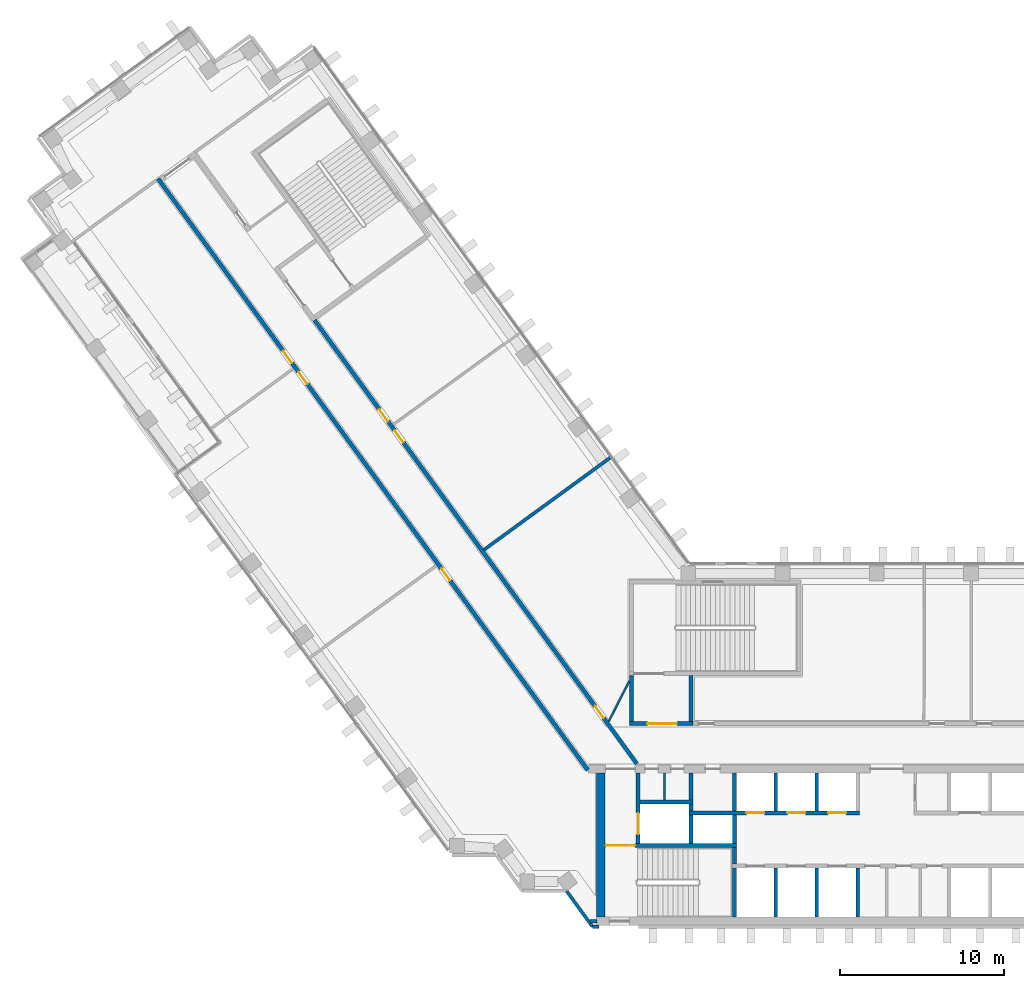
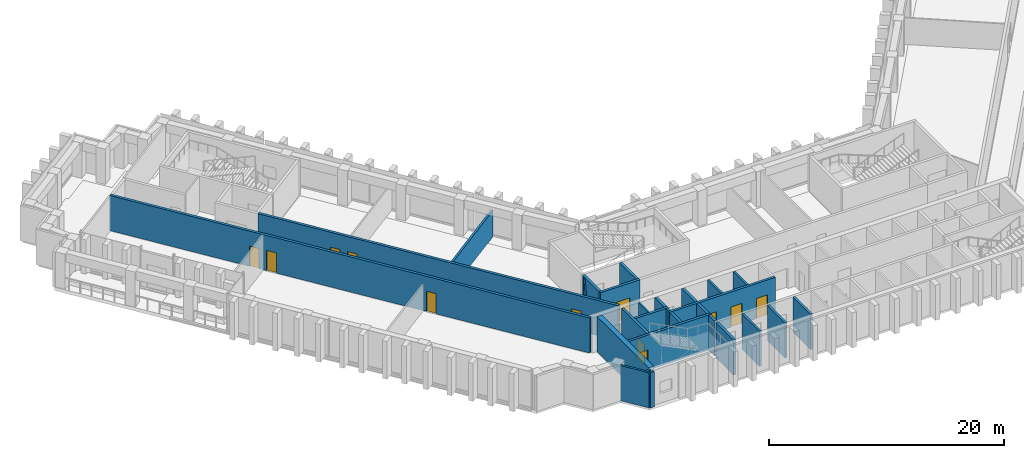
# One storey, part 9 of 17: 28 walls, 12 doors, 12 openings.
"""IFC4 building model written with IfcOpenShell, lengths in metres."""

from ifc_helpers import new_model, si_unit, direction, frame, frame_2d, origin, place, context, subcontext, project, spatial, rectangle, extrude, material, layer, layer_set, type_object, element, fill, save


model = new_model("IFC4")

# Units and contexts
model_context = context("Model", 3, precision=1e-05, world=origin(), true_north=direction((0.0, 1.0)))
body_context = subcontext(model_context, "Body", "Model", "MODEL_VIEW")
ifc_project = project(units=[si_unit("LENGTHUNIT", "METRE"), si_unit("AREAUNIT", "SQUARE_METRE"), si_unit("VOLUMEUNIT", "CUBIC_METRE"), si_unit("PLANEANGLEUNIT", "RADIAN"), si_unit("MASSUNIT", "GRAM", prefix="KILO")], contexts=[model_context])

# Site, building, storey
site_placement = place(None, origin())
site = spatial("IfcSite", under=ifc_project, at=site_placement, CompositionType="ELEMENT")
building_placement = place(site_placement, origin())
building = spatial("IfcBuilding", under=site, at=building_placement, Name="Quipu Civic Tower", CompositionType="ELEMENT")
storey_placement = place(building_placement, frame((0.0, 0.0, 39.0)))
storey = spatial("IfcBuildingStorey", under=building, at=storey_placement, Name="L08", CompositionType="ELEMENT", Elevation=39.0)

# Walls
ifc_material_1 = material(Name="Fired clay blockwork", Category="masonry")
ifc_layer_1 = layer(ifc_material_1, 0.199951171875)
ifc_layer_set_1 = layer_set([ifc_layer_1], Name="Fired clay blockwork")
wall_type_1 = type_object("IfcWallType", Name="Blockwork wall 200", PredefinedType="SOLIDWALL", material=ifc_layer_set_1)
wall_1_placement = place(storey_placement, frame((-26.882080078125, 11.93994140625, 0.0), z_axis=(0.0, 0.0, 1.0), x_axis=(0.807664588563, 0.589642190131, 0.0)))
element("IfcWall", 1, at=wall_1_placement, inside=storey, type_object=wall_type_1, Name="Partition P08", PredefinedType="SOLIDWALL", context=body_context, shape_type="SweptSolid", body=[
    extrude(rectangle(XDim=9.549560546875, YDim=0.199951171875, at=frame_2d((4.77490234375, 0.0))), origin(), (0.0, 0.0, 1.0), 2.75),
])
ifc_material_2 = material(Name="Concrete C70/85", Category="concrete")
ifc_layer_2 = layer(ifc_material_2, 0.25)
ifc_layer_set_2 = layer_set([ifc_layer_2], Name="Concrete C70/85")
wall_type_2 = type_object("IfcWallType", Name="Core wall 250", PredefinedType="SHEAR", material=ifc_layer_set_2)
wall_2_placement = place(storey_placement, frame((-11.574951171875, -10.5, 0.0), z_axis=(0.0, 0.0, 1.0), x_axis=(0.0, 1.0, 0.0)))
element("IfcWall", 2, at=wall_2_placement, inside=storey, type_object=wall_type_2, Name="Core wall", PredefinedType="SHEAR", context=body_context, shape_type="SweptSolid", body=[
    extrude(rectangle(XDim=3.0, YDim=0.25, at=frame_2d((1.5, 0.0))), origin(), (0.0, 0.0, 1.0), 3.64990234375),
])
wall_3_placement = place(storey_placement, frame((-11.574951171875, -7.25, 0.0), z_axis=(0.0, 0.0, 1.0), x_axis=(0.0, 1.0, 0.0)))
element("IfcWall", 3, at=wall_3_placement, inside=storey, type_object=wall_type_2, Name="Core wall", PredefinedType="SHEAR", context=body_context, shape_type="SweptSolid", body=[
    extrude(rectangle(XDim=1.0, YDim=0.25, at=frame_2d((0.5, 0.0))), origin(), (0.0, 0.0, 1.0), 3.64990234375),
])

# Wall, opening, door
wall_4_placement = place(storey_placement, frame((-11.449951171875, -6.125, 0.0), z_axis=(0.0, 0.0, 1.0), x_axis=(-1.0, 0.0, 0.0)))
wall_4 = element("IfcWall", 4, at=wall_4_placement, inside=storey, type_object=wall_type_2, Name="Core wall", PredefinedType="SHEAR", context=body_context, shape_type="SweptSolid", body=[
    extrude(rectangle(XDim=8.050048828125, YDim=0.25, at=frame_2d((4.02490234375, 0.0))), origin(), (0.0, 0.0, 1.0), 3.64990234375),
])
opening_1_placement = place(wall_4_placement, frame((6.199951171875, 0.0, 0.0)))
opening_1 = element("IfcOpeningElement", 5, at=opening_1_placement, cuts=wall_4, Name="Opening CD-04", PredefinedType="OPENING", context=body_context, shape_type="SweptSolid", body=[
    extrude(rectangle(XDim=1.800048828125, YDim=2.10009765625, at=frame_2d((0.89990234375, 1.050048828125))), frame((0.0, 0.135009765625, 0.0), z_axis=(0.0, -1.0, 0.0), x_axis=(1.0, 0.0, 0.0)), (0.0, 0.0, 1.0), 0.27001953125),
])
ifc_material_3 = material(Name="Fire rated steel door", Category="steel")
door_type_1 = type_object("IfcDoorType", Name="Fire door FD90 double 1800 x 2100", OperationType="NOTDEFINED", PredefinedType="DOOR", material=ifc_material_3)
door_1_placement = place(opening_1_placement, origin())
door_1 = element("IfcDoor", 6, at=door_1_placement, inside=storey, type_object=door_type_1, Name="Door", OperationType="DOUBLE_DOOR_SINGLE_SWING", OverallHeight=2.10009765625, OverallWidth=1.800048828125, PredefinedType="DOOR", context=body_context, shape_type="SweptSolid", body=[
    extrude(rectangle(XDim=1.800048828125, YDim=2.10009765625, at=frame_2d((0.89990234375, 1.050048828125))), frame((0.0, 0.02490234375, 0.0), z_axis=(0.0, -1.0, 0.0), x_axis=(1.0, 0.0, 0.0)), (0.0, 0.0, 1.0), 0.050048828125),
])
fill(opening_1, door_1)

wall_5_placement = place(storey_placement, frame((-17.47509765625, -6.0, 0.0), z_axis=(0.0, 0.0, 1.0), x_axis=(0.0, 1.0, 0.0)))
wall_5 = element("IfcWall", 7, at=wall_5_placement, inside=storey, type_object=wall_type_2, Name="Core wall", PredefinedType="SHEAR", context=body_context, shape_type="SweptSolid", body=[
    extrude(rectangle(XDim=4.300048828125, YDim=0.25, at=frame_2d((2.14990234375, 0.0))), origin(), (0.0, 0.0, 1.0), 3.64990234375),
])
opening_2_placement = place(wall_5_placement, frame((0.550048828125, 0.0, 0.0)))
opening_2 = element("IfcOpeningElement", 8, at=opening_2_placement, cuts=wall_5, Name="Opening LD-FF1", PredefinedType="OPENING", context=body_context, shape_type="SweptSolid", body=[
    extrude(rectangle(XDim=1.300048828125, YDim=2.10009765625, at=frame_2d((0.64990234375, 1.050048828125))), frame((0.0, 0.135009765625, 0.0), z_axis=(0.0, -1.0, 0.0), x_axis=(1.0, 0.0, 0.0)), (0.0, 0.0, 1.0), 0.27001953125),
])
ifc_material_4 = material(Name="Stainless steel", Category="steel")
door_type_2 = type_object("IfcDoorType", Name="Lift landing door 1300 x 2100", OperationType="DOUBLE_DOOR_SLIDING", PredefinedType="DOOR", material=ifc_material_4)
door_2_placement = place(opening_2_placement, origin())
door_2 = element("IfcDoor", 9, at=door_2_placement, inside=storey, type_object=door_type_2, Name="Landing door FF1", OperationType="DOUBLE_DOOR_SLIDING", OverallHeight=2.10009765625, OverallWidth=1.300048828125, PredefinedType="DOOR", context=body_context, shape_type="SweptSolid", body=[
    extrude(rectangle(XDim=1.300048828125, YDim=2.10009765625, at=frame_2d((0.64990234375, 1.050048828125))), frame((0.0, 0.02490234375, 0.0), z_axis=(0.0, -1.0, 0.0), x_axis=(1.0, 0.0, 0.0)), (0.0, 0.0, 1.0), 0.050048828125),
])
fill(opening_2, door_2)

# Walls
for number, where, z_axis, x_axis, name in (
    (10, (-14.22509765625, -6.0, 0.0), (0.0, 0.0, 1.0), (0.0, 1.0, 0.0), "Core wall"),
    (11, (-11.574951171875, -6.0, 0.0), (0.0, 0.0, 1.0), (0.0, 1.0, 0.0), "Core wall"),
):
    element("IfcWall", number, at=place(storey_placement, frame(where, z_axis=z_axis, x_axis=x_axis)), inside=storey, type_object=wall_type_2, Name=name, PredefinedType="SHEAR", context=body_context, shape_type="SweptSolid", body=[
        extrude(rectangle(XDim=1.75, YDim=0.25, at=frame_2d((0.875, 0.0))), origin(), (0.0, 0.0, 1.0), 3.64990234375),
    ])

# Wall, openings, doors
wall_6_placement = place(storey_placement, frame((-14.35009765625, -4.125, 0.0), z_axis=(0.0, 0.0, 1.0), x_axis=(1.0, 0.0, 0.0)))
wall_6 = element("IfcWall", 12, at=wall_6_placement, inside=storey, type_object=wall_type_2, Name="Core wall", PredefinedType="SHEAR", context=body_context, shape_type="SweptSolid", body=[
    extrude(rectangle(XDim=10.400146484375, YDim=0.25, at=frame_2d((5.2001953125, 0.0))), origin(), (0.0, 0.0, 1.0), 3.64990234375),
])
opening_3_placement = place(wall_6_placement, frame((3.5, 0.0, 0.0)))
opening_3 = element("IfcOpeningElement", 13, at=opening_3_placement, cuts=wall_6, Name="Opening LD-LL4", PredefinedType="OPENING", context=body_context, shape_type="SweptSolid", body=[
    extrude(rectangle(XDim=1.10009765625, YDim=2.10009765625, at=frame_2d((0.550048828125, 1.050048828125))), frame((0.0, 0.135009765625, 0.0), z_axis=(0.0, -1.0, 0.0), x_axis=(1.0, 0.0, 0.0)), (0.0, 0.0, 1.0), 0.27001953125),
])
opening_4_placement = place(wall_6_placement, frame((6.0, 0.0, 0.0)))
opening_4 = element("IfcOpeningElement", 14, at=opening_4_placement, cuts=wall_6, Name="Opening LD-LL5", PredefinedType="OPENING", context=body_context, shape_type="SweptSolid", body=[
    extrude(rectangle(XDim=1.10009765625, YDim=2.10009765625, at=frame_2d((0.550048828125, 1.050048828125))), frame((0.0, 0.135009765625, 0.0), z_axis=(0.0, -1.0, 0.0), x_axis=(1.0, 0.0, 0.0)), (0.0, 0.0, 1.0), 0.27001953125),
])
opening_5_placement = place(wall_6_placement, frame((8.5, 0.0, 0.0)))
opening_5 = element("IfcOpeningElement", 15, at=opening_5_placement, cuts=wall_6, Name="Opening LD-LL6", PredefinedType="OPENING", context=body_context, shape_type="SweptSolid", body=[
    extrude(rectangle(XDim=1.10009765625, YDim=2.10009765625, at=frame_2d((0.550048828125, 1.050048828125))), frame((0.0, 0.135009765625, 0.0), z_axis=(0.0, -1.0, 0.0), x_axis=(1.0, 0.0, 0.0)), (0.0, 0.0, 1.0), 0.27001953125),
])
ifc_material_5 = material(Name="Stainless steel", Category="steel")
door_type_3 = type_object("IfcDoorType", Name="Lift landing door 1100 x 2100", OperationType="DOUBLE_DOOR_SLIDING", PredefinedType="DOOR", material=ifc_material_5)
door_3_placement = place(opening_3_placement, origin())
door_3 = element("IfcDoor", 16, at=door_3_placement, inside=storey, type_object=door_type_3, Name="Landing door LL4", OperationType="DOUBLE_DOOR_SLIDING", OverallHeight=2.10009765625, OverallWidth=1.10009765625, PredefinedType="DOOR", context=body_context, shape_type="SweptSolid", body=[
    extrude(rectangle(XDim=1.10009765625, YDim=2.10009765625, at=frame_2d((0.550048828125, 1.050048828125))), frame((0.0, 0.02490234375, 0.0), z_axis=(0.0, -1.0, 0.0), x_axis=(1.0, 0.0, 0.0)), (0.0, 0.0, 1.0), 0.050048828125),
])
fill(opening_3, door_3)
door_4_placement = place(opening_4_placement, origin())
door_4 = element("IfcDoor", 17, at=door_4_placement, inside=storey, type_object=door_type_3, Name="Landing door LL5", OperationType="DOUBLE_DOOR_SLIDING", OverallHeight=2.10009765625, OverallWidth=1.10009765625, PredefinedType="DOOR", context=body_context, shape_type="SweptSolid", body=[
    extrude(rectangle(XDim=1.10009765625, YDim=2.10009765625, at=frame_2d((0.550048828125, 1.050048828125))), frame((0.0, 0.02490234375, 0.0), z_axis=(0.0, -1.0, 0.0), x_axis=(1.0, 0.0, 0.0)), (0.0, 0.0, 1.0), 0.050048828125),
])
fill(opening_4, door_4)
door_5_placement = place(opening_5_placement, origin())
door_5 = element("IfcDoor", 18, at=door_5_placement, inside=storey, type_object=door_type_3, Name="Landing door LL6", OperationType="DOUBLE_DOOR_SLIDING", OverallHeight=2.10009765625, OverallWidth=1.10009765625, PredefinedType="DOOR", context=body_context, shape_type="SweptSolid", body=[
    extrude(rectangle(XDim=1.10009765625, YDim=2.10009765625, at=frame_2d((0.550048828125, 1.050048828125))), frame((0.0, 0.02490234375, 0.0), z_axis=(0.0, -1.0, 0.0), x_axis=(1.0, 0.0, 0.0)), (0.0, 0.0, 1.0), 0.050048828125),
])
fill(opening_5, door_5)

# Walls
wall_7_placement = place(storey_placement, frame((-14.22509765625, -4.0, 0.0), z_axis=(0.0, 0.0, 1.0), x_axis=(0.0, 1.0, 0.0)))
element("IfcWall", 19, at=wall_7_placement, inside=storey, type_object=wall_type_2, Name="Core wall", PredefinedType="SHEAR", context=body_context, shape_type="SweptSolid", body=[
    extrude(rectangle(XDim=0.39990234375, YDim=0.25, at=frame_2d((0.199951171875, 0.0))), origin(), (0.0, 0.0, 1.0), 3.64990234375),
])
wall_8_placement = place(storey_placement, frame((-11.574951171875, -4.0, 0.0), z_axis=(0.0, 0.0, 1.0), x_axis=(0.0, 1.0, 0.0)))
element("IfcWall", 20, at=wall_8_placement, inside=storey, type_object=wall_type_2, Name="Core wall", PredefinedType="SHEAR", context=body_context, shape_type="SweptSolid", body=[
    extrude(rectangle(XDim=2.300048828125, YDim=0.25, at=frame_2d((1.14990234375, 0.0))), origin(), (0.0, 0.0, 1.0), 3.64990234375),
])
wall_9_placement = place(storey_placement, frame((-17.35009765625, -3.47509765625, 0.0), z_axis=(0.0, 0.0, 1.0), x_axis=(1.0, 0.0, 0.0)))
element("IfcWall", 21, at=wall_9_placement, inside=storey, type_object=wall_type_2, Name="Core wall", PredefinedType="SHEAR", context=body_context, shape_type="SweptSolid", body=[
    extrude(rectangle(XDim=3.25, YDim=0.25, at=frame_2d((1.625, 0.0))), origin(), (0.0, 0.0, 1.0), 3.64990234375),
])
wall_10_placement = place(storey_placement, frame((-14.22509765625, -3.35009765625, 0.0), z_axis=(0.0, 0.0, 1.0), x_axis=(0.0, 1.0, 0.0)))
element("IfcWall", 22, at=wall_10_placement, inside=storey, type_object=wall_type_2, Name="Core wall", PredefinedType="SHEAR", context=body_context, shape_type="SweptSolid", body=[
    extrude(rectangle(XDim=1.650146484375, YDim=0.25, at=frame_2d((0.8251953125, 0.0))), origin(), (0.0, 0.0, 1.0), 3.64990234375),
])

# Wall, opening, door
wall_11_placement = place(storey_placement, frame((-18.0, 1.324951171875, 0.0), z_axis=(0.0, 0.0, 1.0), x_axis=(1.0, 0.0, 0.0)))
wall_11 = element("IfcWall", 23, at=wall_11_placement, inside=storey, type_object=wall_type_2, Name="Core wall", PredefinedType="SHEAR", context=body_context, shape_type="SweptSolid", body=[
    extrude(rectangle(XDim=3.89990234375, YDim=0.25, at=frame_2d((1.949951171875, 0.0))), origin(), (0.0, 0.0, 1.0), 3.64990234375),
])
opening_6_placement = place(wall_11_placement, frame((1.10009765625, 0.0, 0.0)))
opening_6 = element("IfcOpeningElement", 24, at=opening_6_placement, cuts=wall_11, Name="Opening CD-15", PredefinedType="OPENING", context=body_context, shape_type="SweptSolid", body=[
    extrude(rectangle(XDim=1.800048828125, YDim=2.10009765625, at=frame_2d((0.89990234375, 1.050048828125))), frame((0.0, 0.135009765625, 0.0), z_axis=(0.0, -1.0, 0.0), x_axis=(1.0, 0.0, 0.0)), (0.0, 0.0, 1.0), 0.27001953125),
])
door_6_placement = place(opening_6_placement, origin())
door_6 = element("IfcDoor", 25, at=door_6_placement, inside=storey, type_object=door_type_1, Name="Lobby door", OperationType="DOUBLE_DOOR_SINGLE_SWING", OverallHeight=2.10009765625, OverallWidth=1.800048828125, PredefinedType="DOOR", context=body_context, shape_type="SweptSolid", body=[
    extrude(rectangle(XDim=1.800048828125, YDim=2.10009765625, at=frame_2d((0.89990234375, 1.050048828125))), frame((0.0, 0.02490234375, 0.0), z_axis=(0.0, -1.0, 0.0), x_axis=(1.0, 0.0, 0.0)), (0.0, 0.0, 1.0), 0.050048828125),
])
fill(opening_6, door_6)

# Walls
for number, where, z_axis, x_axis, name in (
    (26, (-17.875, 1.449951171875, 0.0), (0.0, 0.0, 1.0), (0.0, 1.0, 0.0), "Core wall"),
    (27, (-14.22509765625, 1.449951171875, 0.0), (0.0, 0.0, 1.0), (0.0, 1.0, 0.0), "Core wall"),
):
    element("IfcWall", number, at=place(storey_placement, frame(where, z_axis=z_axis, x_axis=x_axis)), inside=storey, type_object=wall_type_2, Name=name, PredefinedType="SHEAR", context=body_context, shape_type="SweptSolid", body=[
        extrude(rectangle(XDim=2.800048828125, YDim=0.25, at=frame_2d((1.39990234375, 0.0))), origin(), (0.0, 0.0, 1.0), 3.64990234375),
    ])
ifc_material_6 = material(Name="Concrete C70/85", Category="concrete")
ifc_layer_3 = layer(ifc_material_6, 0.5)
ifc_layer_set_3 = layer_set([ifc_layer_3], Name="Concrete C70/85")
wall_type_3 = type_object("IfcWallType", Name="Core wall 500", PredefinedType="SHEAR", material=ifc_layer_set_3)
wall_12_placement = place(storey_placement, frame((-19.75, -10.5, 0.0), z_axis=(0.0, 0.0, 1.0), x_axis=(0.0, 1.0, 0.0)))
element("IfcWall", 28, at=wall_12_placement, inside=storey, type_object=wall_type_3, Name="Core wall", PredefinedType="SHEAR", context=body_context, shape_type="SweptSolid", body=[
    extrude(rectangle(XDim=8.800048828125, YDim=0.5, at=frame_2d((4.39990234375, 0.0))), origin(), (0.0, 0.0, 1.0), 3.64990234375),
])

# Wall, openings, doors
ifc_material_7 = material(Name="Concrete C50/60", Category="concrete")
ifc_layer_4 = layer(ifc_material_7, 0.25)
ifc_layer_set_4 = layer_set([ifc_layer_4], Name="Concrete C50/60")
wall_type_4 = type_object("IfcWallType", Name="Corridor wall 250 concrete", PredefinedType="SOLIDWALL", material=ifc_layer_set_4)
wall_13_placement = place(storey_placement, frame((-20.531005859375, -1.5234375, 0.0), z_axis=(0.0, 0.0, 1.0), x_axis=(-0.587784593204, 0.809017473231, 0.0)))
wall_13 = element("IfcWall", 29, at=wall_13_placement, inside=storey, type_object=wall_type_4, Name="Corridor wall C01", PredefinedType="SOLIDWALL", context=body_context, shape_type="SweptSolid", body=[
    extrude(rectangle(XDim=44.67041015625, YDim=0.25, at=frame_2d((22.335205078125, 0.0))), origin(), (0.0, 0.0, 1.0), 3.64990234375),
])
opening_7_placement = place(wall_13_placement, frame((30.765380859375, 0.0, 0.0)))
opening_7 = element("IfcOpeningElement", 30, at=opening_7_placement, cuts=wall_13, Name="Opening D017", PredefinedType="OPENING", context=body_context, shape_type="SweptSolid", body=[
    extrude(rectangle(XDim=0.89990234375, YDim=2.10009765625, at=frame_2d((0.449951171875, 1.050048828125))), frame((0.0, 0.135009765625, 0.0), z_axis=(0.0, -1.0, 0.0), x_axis=(1.0, 0.0, 0.0)), (0.0, 0.0, 1.0), 0.27001953125),
])
opening_8_placement = place(wall_13_placement, frame((14.31591796875, 0.0, 0.0)))
opening_8 = element("IfcOpeningElement", 31, at=opening_8_placement, cuts=wall_13, Name="Opening D019", PredefinedType="OPENING", context=body_context, shape_type="SweptSolid", body=[
    extrude(rectangle(XDim=0.89990234375, YDim=2.10009765625, at=frame_2d((0.449951171875, 1.050048828125))), frame((0.0, 0.135009765625, 0.0), z_axis=(0.0, -1.0, 0.0), x_axis=(1.0, 0.0, 0.0)), (0.0, 0.0, 1.0), 0.27001953125),
])
opening_9_placement = place(wall_13_placement, frame((29.166015625, 0.0, 0.0)))
opening_9 = element("IfcOpeningElement", 32, at=opening_9_placement, cuts=wall_13, Name="Opening D018", PredefinedType="OPENING", context=body_context, shape_type="SweptSolid", body=[
    extrude(rectangle(XDim=0.89990234375, YDim=2.10009765625, at=frame_2d((0.449951171875, 1.050048828125))), frame((0.0, 0.135009765625, 0.0), z_axis=(0.0, -1.0, 0.0), x_axis=(1.0, 0.0, 0.0)), (0.0, 0.0, 1.0), 0.27001953125),
])
ifc_material_8 = material(Name="Fire rated timber door set with metal frame", Category="wood")
door_type_4 = type_object("IfcDoorType", Name="Single door 900 x 2100 FD60", OperationType="NOTDEFINED", PredefinedType="DOOR", material=ifc_material_8)
door_7_placement = place(opening_7_placement, origin())
door_7 = element("IfcDoor", 33, at=door_7_placement, inside=storey, type_object=door_type_4, Name="Door D017", OperationType="SINGLE_SWING_LEFT", OverallHeight=2.10009765625, OverallWidth=0.89990234375, PredefinedType="DOOR", context=body_context, shape_type="SweptSolid", body=[
    extrude(rectangle(XDim=0.89990234375, YDim=2.10009765625, at=frame_2d((0.449951171875, 1.050048828125))), frame((0.0, 0.02490234375, 0.0), z_axis=(0.0, -1.0, 0.0), x_axis=(1.0, 0.0, 0.0)), (0.0, 0.0, 1.0), 0.050048828125),
])
fill(opening_7, door_7)
door_8_placement = place(opening_8_placement, origin())
door_8 = element("IfcDoor", 34, at=door_8_placement, inside=storey, type_object=door_type_4, Name="Door D019", OperationType="SINGLE_SWING_RIGHT", OverallHeight=2.10009765625, OverallWidth=0.89990234375, PredefinedType="DOOR", context=body_context, shape_type="SweptSolid", body=[
    extrude(rectangle(XDim=0.89990234375, YDim=2.10009765625, at=frame_2d((0.449951171875, 1.050048828125))), frame((0.0, 0.02490234375, 0.0), z_axis=(0.0, -1.0, 0.0), x_axis=(1.0, 0.0, 0.0)), (0.0, 0.0, 1.0), 0.050048828125),
])
fill(opening_8, door_8)
door_9_placement = place(opening_9_placement, origin())
door_9 = element("IfcDoor", 35, at=door_9_placement, inside=storey, type_object=door_type_4, Name="Door D018", OperationType="SINGLE_SWING_RIGHT", OverallHeight=2.10009765625, OverallWidth=0.89990234375, PredefinedType="DOOR", context=body_context, shape_type="SweptSolid", body=[
    extrude(rectangle(XDim=0.89990234375, YDim=2.10009765625, at=frame_2d((0.449951171875, 1.050048828125))), frame((0.0, 0.02490234375, 0.0), z_axis=(0.0, -1.0, 0.0), x_axis=(1.0, 0.0, 0.0)), (0.0, 0.0, 1.0), 0.050048828125),
])
fill(opening_9, door_9)

wall_14_placement = place(storey_placement, frame((-37.231689453125, 25.9716796875, 0.0), z_axis=(0.0, 0.0, 1.0), x_axis=(0.587786323093, -0.809016216391, 0.0)))
wall_14 = element("IfcWall", 36, at=wall_14_placement, inside=storey, type_object=wall_type_4, Name="Corridor wall C04", PredefinedType="SOLIDWALL", context=body_context, shape_type="SweptSolid", body=[
    extrude(rectangle(XDim=33.4931640625, YDim=0.25, at=frame_2d((16.74658203125, 0.0))), origin(), (0.0, 0.0, 1.0), 3.64990234375),
])
opening_10_placement = place(wall_14_placement, frame((8.334716796875, 0.0, 0.0)))
opening_10 = element("IfcOpeningElement", 37, at=opening_10_placement, cuts=wall_14, Name="Opening D015", PredefinedType="OPENING", context=body_context, shape_type="SweptSolid", body=[
    extrude(rectangle(XDim=0.89990234375, YDim=2.10009765625, at=frame_2d((0.449951171875, 1.050048828125))), frame((0.0, 0.135009765625, 0.0), z_axis=(0.0, -1.0, 0.0), x_axis=(1.0, 0.0, 0.0)), (0.0, 0.0, 1.0), 0.27001953125),
])
opening_11_placement = place(wall_14_placement, frame((29.151611328125, 0.0, 0.0)))
opening_11 = element("IfcOpeningElement", 38, at=opening_11_placement, cuts=wall_14, Name="Opening D016", PredefinedType="OPENING", context=body_context, shape_type="SweptSolid", body=[
    extrude(rectangle(XDim=0.89990234375, YDim=2.10009765625, at=frame_2d((0.449951171875, 1.050048828125))), frame((0.0, 0.135009765625, 0.0), z_axis=(0.0, -1.0, 0.0), x_axis=(1.0, 0.0, 0.0)), (0.0, 0.0, 1.0), 0.27001953125),
])
opening_12_placement = place(wall_14_placement, frame((6.7353515625, 0.0, 0.0)))
opening_12 = element("IfcOpeningElement", 39, at=opening_12_placement, cuts=wall_14, Name="Opening D014", PredefinedType="OPENING", context=body_context, shape_type="SweptSolid", body=[
    extrude(rectangle(XDim=0.89990234375, YDim=2.10009765625, at=frame_2d((0.449951171875, 1.050048828125))), frame((0.0, 0.135009765625, 0.0), z_axis=(0.0, -1.0, 0.0), x_axis=(1.0, 0.0, 0.0)), (0.0, 0.0, 1.0), 0.27001953125),
])
door_10_placement = place(opening_10_placement, origin())
door_10 = element("IfcDoor", 40, at=door_10_placement, inside=storey, type_object=door_type_4, Name="Door D015", OperationType="SINGLE_SWING_LEFT", OverallHeight=2.10009765625, OverallWidth=0.89990234375, PredefinedType="DOOR", context=body_context, shape_type="SweptSolid", body=[
    extrude(rectangle(XDim=0.89990234375, YDim=2.10009765625, at=frame_2d((0.449951171875, 1.050048828125))), frame((0.0, 0.02490234375, 0.0), z_axis=(0.0, -1.0, 0.0), x_axis=(1.0, 0.0, 0.0)), (0.0, 0.0, 1.0), 0.050048828125),
])
fill(opening_10, door_10)
door_11_placement = place(opening_11_placement, origin())
door_11 = element("IfcDoor", 41, at=door_11_placement, inside=storey, type_object=door_type_4, Name="Door D016", OperationType="SINGLE_SWING_RIGHT", OverallHeight=2.10009765625, OverallWidth=0.89990234375, PredefinedType="DOOR", context=body_context, shape_type="SweptSolid", body=[
    extrude(rectangle(XDim=0.89990234375, YDim=2.10009765625, at=frame_2d((0.449951171875, 1.050048828125))), frame((0.0, 0.02490234375, 0.0), z_axis=(0.0, -1.0, 0.0), x_axis=(1.0, 0.0, 0.0)), (0.0, 0.0, 1.0), 0.050048828125),
])
fill(opening_11, door_11)
door_12_placement = place(opening_12_placement, origin())
door_12 = element("IfcDoor", 42, at=door_12_placement, inside=storey, type_object=door_type_4, Name="Door D014", OperationType="SINGLE_SWING_RIGHT", OverallHeight=2.10009765625, OverallWidth=0.89990234375, PredefinedType="DOOR", context=body_context, shape_type="SweptSolid", body=[
    extrude(rectangle(XDim=0.89990234375, YDim=2.10009765625, at=frame_2d((0.449951171875, 1.050048828125))), frame((0.0, 0.02490234375, 0.0), z_axis=(0.0, -1.0, 0.0), x_axis=(1.0, 0.0, 0.0)), (0.0, 0.0, 1.0), 0.050048828125),
])
fill(opening_12, door_12)

# Walls
ifc_material_9 = material(Name="Gypsum plasterboard on light gauge framing")
ifc_layer_5 = layer(ifc_material_9, 0.1201171875)
ifc_layer_set_5 = layer_set([ifc_layer_5], Name="Gypsum plasterboard on light gauge framing")
wall_type_5 = type_object("IfcWallType", Name="Partition 120 plasterboard", PredefinedType="PARTITIONING", material=ifc_layer_set_5)
wall_15_placement = place(storey_placement, frame((-19.260986328125, 1.449951171875, 0.0), z_axis=(0.0, 0.0, 1.0), x_axis=(0.453950796792, 0.891026752736, 0.0)))
element("IfcWall", 43, at=wall_15_placement, inside=storey, type_object=wall_type_5, Name="Partition P18", PredefinedType="PARTITIONING", context=body_context, shape_type="SweptSolid", body=[
    extrude(rectangle(XDim=2.77783203125, YDim=0.1201171875, at=frame_2d((1.388916015625, 0.0))), origin(), (0.0, 0.0, 1.0), 3.64990234375),
])
ifc_material_10 = material(Name="Gypsum board partition")
ifc_layer_6 = layer(ifc_material_10, 0.14990234375)
ifc_layer_set_6 = layer_set([ifc_layer_6], Name="Gypsum board partition")
wall_type_6 = type_object("IfcWallType", Name="Partition 150", PredefinedType="PARTITIONING", material=ifc_layer_set_6)
wall_16_placement = place(storey_placement, frame((-15.85009765625, -3.35009765625, 0.0), z_axis=(0.0, 0.0, 1.0), x_axis=(0.0, 1.0, 0.0)))
element("IfcWall", 44, at=wall_16_placement, inside=storey, type_object=wall_type_6, Name="Partition", PredefinedType="PARTITIONING", context=body_context, shape_type="SweptSolid", body=[
    extrude(rectangle(XDim=1.650146484375, YDim=0.14990234375, at=frame_2d((0.8251953125, 0.0))), origin(), (0.0, 0.0, 1.0), 3.64990234375),
])
ifc_material_11 = material(Name="Precast concrete C40/50", Category="concrete")
wall_type_7 = type_object("IfcWallType", Name="Precast cladding wall", PredefinedType="SOLIDWALL", material=ifc_material_11)
wall_17_placement = place(storey_placement, frame((-21.8330078125, -8.90869140625, 0.0), z_axis=(0.0, 0.0, 1.0), x_axis=(0.587766567315, -0.809030569476, 0.0)))
element("IfcWall", 45, at=wall_17_placement, inside=storey, type_object=wall_type_7, Name="Precast cladding wall L08 P04", PredefinedType="SOLIDWALL", context=body_context, shape_type="SweptSolid", body=[
    extrude(rectangle(XDim=2.687744140625, YDim=0.199951171875, at=frame_2d((1.34375, 0.0))), origin(), (0.0, 0.0, 1.0), 3.64990234375),
])
wall_18_placement = place(storey_placement, frame((-20.255859375, -11.087890625, 0.0), z_axis=(0.0, 0.0, 1.0), x_axis=(1.0, 0.0, 0.0)))
element("IfcWall", 46, at=wall_18_placement, inside=storey, type_object=wall_type_7, Name="Precast cladding wall L08 P05", PredefinedType="SOLIDWALL", context=body_context, shape_type="SweptSolid", body=[
    extrude(rectangle(XDim=0.40576171875, YDim=0.199951171875, at=frame_2d((0.202880859375, 0.0))), origin(), (0.0, 0.0, 1.0), 3.64990234375),
])
wall_19_placement = place(storey_placement, frame((-19.97998046875, -10.75, 0.0), z_axis=(0.0, 0.0, 1.0), x_axis=(-1.0, 0.0, 0.0)))
element("IfcWall", 47, at=wall_19_placement, inside=storey, type_object=wall_type_7, Name="Precast cladding return L08 W", PredefinedType="SOLIDWALL", context=body_context, shape_type="SweptSolid", body=[
    extrude(rectangle(XDim=0.41650390625, YDim=0.199951171875, at=frame_2d((0.208251953125, 0.0))), origin(), (0.0, 0.0, 1.0), 3.64990234375),
])
ifc_material_12 = material(Name="Concrete C40/50", Category="concrete")
ifc_layer_7 = layer(ifc_material_12, 0.199951171875)
ifc_layer_set_7 = layer_set([ifc_layer_7], Name="Concrete C40/50")
wall_type_8 = type_object("IfcWallType", Name="Shaft wall 200", PredefinedType="SOLIDWALL", material=ifc_layer_set_7)
for number, where, z_axis, x_axis, name in (
    (48, (-9.050048828125, -10.5, 0.0), (0.0, 0.0, 1.0), (0.0, 1.0, 0.0), "Shaft wall"),
    (49, (-6.550048828125, -10.5, 0.0), (0.0, 0.0, 1.0), (0.0, 1.0, 0.0), "Shaft wall"),
    (50, (-4.050048828125, -10.5, 0.0), (0.0, 0.0, 1.0), (0.0, 1.0, 0.0), "Shaft wall"),
):
    element("IfcWall", number, at=place(storey_placement, frame(where, z_axis=z_axis, x_axis=x_axis)), inside=storey, type_object=wall_type_8, Name=name, PredefinedType="SOLIDWALL", context=body_context, shape_type="SweptSolid", body=[
        extrude(rectangle(XDim=3.0, YDim=0.199951171875, at=frame_2d((1.5, 0.0))), origin(), (0.0, 0.0, 1.0), 3.64990234375),
    ])
for number, where, z_axis, x_axis, name in (
    (51, (-9.050048828125, -4.0, 0.0), (0.0, 0.0, 1.0), (0.0, 1.0, 0.0), "Shaft wall"),
    (52, (-6.550048828125, -4.0, 0.0), (0.0, 0.0, 1.0), (0.0, 1.0, 0.0), "Shaft wall"),
):
    element("IfcWall", number, at=place(storey_placement, frame(where, z_axis=z_axis, x_axis=x_axis)), inside=storey, type_object=wall_type_8, Name=name, PredefinedType="SOLIDWALL", context=body_context, shape_type="SweptSolid", body=[
        extrude(rectangle(XDim=2.300048828125, YDim=0.199951171875, at=frame_2d((1.14990234375, 0.0))), origin(), (0.0, 0.0, 1.0), 3.64990234375),
    ])

save(model, "model.ifc")
